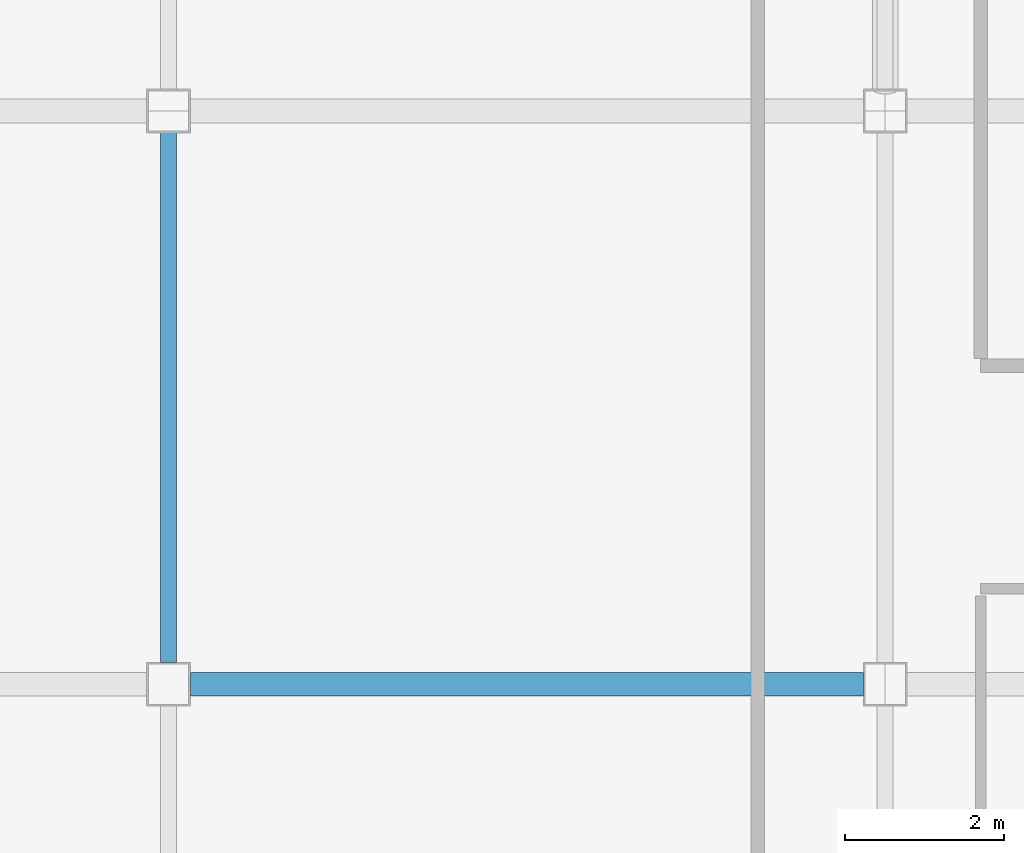
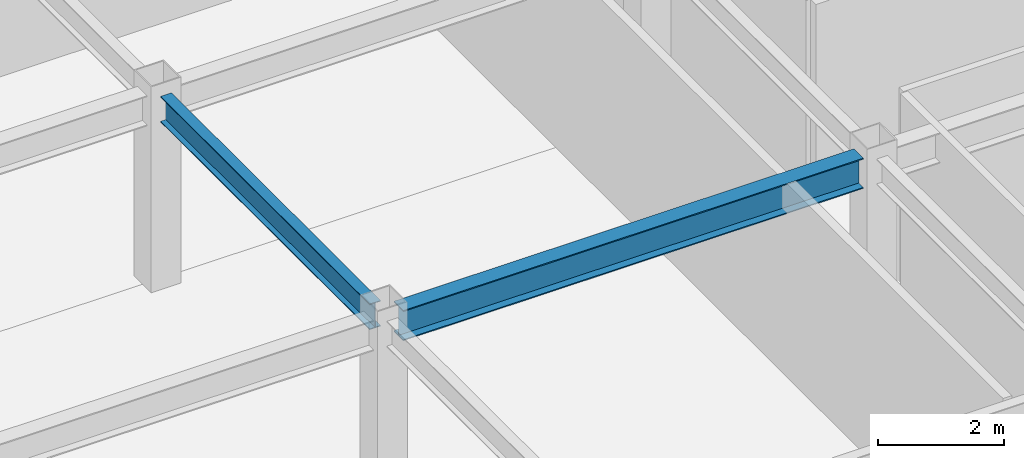
# One storey, part 52 of 122: 2 beams.
"""IFC4 building model written with IfcOpenShell, lengths in metres."""

from ifc_helpers import new_model, si_unit, direction, frame, origin, origin_2d, place, context, subcontext, project, spatial, i_section, extrude, material, material_profile, profile_set, type_object, element, save


model = new_model("IFC4")

# Units and contexts
model_context = context("Model", 3, precision=1e-05, world=origin(), true_north=direction((0.0, 1.0)))
body_context = subcontext(model_context, "Body", "Model", "MODEL_VIEW")
ifc_project = project(units=[si_unit("LENGTHUNIT", "METRE"), si_unit("AREAUNIT", "SQUARE_METRE"), si_unit("VOLUMEUNIT", "CUBIC_METRE"), si_unit("PLANEANGLEUNIT", "RADIAN"), si_unit("MASSUNIT", "GRAM", prefix="KILO")], contexts=[model_context])

# Site, building, storey
site_placement = place(None, origin())
site = spatial("IfcSite", under=ifc_project, at=site_placement, CompositionType="ELEMENT")
building_placement = place(site_placement, origin())
building = spatial("IfcBuilding", under=site, at=building_placement, Name="Kazanami Central Library", CompositionType="ELEMENT")
storey_placement = place(building_placement, frame((0.0, 0.0, 4.800048828125)))
storey = spatial("IfcBuildingStorey", under=building, at=storey_placement, Name="L02", CompositionType="ELEMENT", Elevation=4.800048828125)

# Beams
ifc_material = material(Name="Steel SN490B (325 MPa)", Category="steel")
ifc_material_profile_1 = material_profile(ifc_material, i_section(OverallWidth=0.300048828125, OverallDepth=0.587890625, WebThickness=0.011962890625, FlangeThickness=0.02001953125, at=origin_2d()), Name="H-588x300x12x20")
ifc_profile_set_1 = profile_set([ifc_material_profile_1], Name="Steel SN490B (325 MPa)")
beam_type_1 = type_object("IfcBeamType", Name="BM-G-X2", PredefinedType="BEAM", material=ifc_profile_set_1)
beam_1_placement = place(storey_placement, frame((9.27294921875, 64.800048828125, 3.4609375), z_axis=(1.0, 0.0, 0.0), x_axis=(0.0, 1.0, 0.0)))
element("IfcBeam", 1, at=beam_1_placement, inside=storey, type_object=beam_type_1, Name="Girder G-X2 L02 K/2-3", PredefinedType="BEAM", context=body_context, shape_type="SweptSolid", body=[
    extrude(i_section(OverallWidth=0.300048828125, OverallDepth=0.587890625, WebThickness=0.011962890625, FlangeThickness=0.02001953125, at=origin_2d()), origin(), (0.0, 0.0, 1.0), 8.4541015625),
])
ifc_material_profile_2 = material_profile(ifc_material, i_section(OverallWidth=0.199951171875, OverallDepth=0.5, WebThickness=0.010009765625, FlangeThickness=0.01611328125, at=origin_2d()), Name="H-500x200x10x16")
ifc_profile_set_2 = profile_set([ifc_material_profile_2], Name="Steel SN490B (325 MPa)")
beam_type_2 = type_object("IfcBeamType", Name="BM-G-Y2", PredefinedType="BEAM", material=ifc_profile_set_2)
beam_2_placement = place(storey_placement, frame((9.0, 65.072998046875, 3.5048828125), z_axis=(0.0, 1.0, 0.0), x_axis=(-1.0, 0.0, 0.0)))
element("IfcBeam", 2, at=beam_2_placement, inside=storey, type_object=beam_type_2, Name="Girder G-Y2 L02 2/K-L", PredefinedType="BEAM", context=body_context, shape_type="SweptSolid", body=[
    extrude(i_section(OverallWidth=0.199951171875, OverallDepth=0.5, WebThickness=0.010009765625, FlangeThickness=0.01611328125, at=origin_2d()), origin(), (0.0, 0.0, 1.0), 6.654052734375),
])

save(model, "model.ifc")
